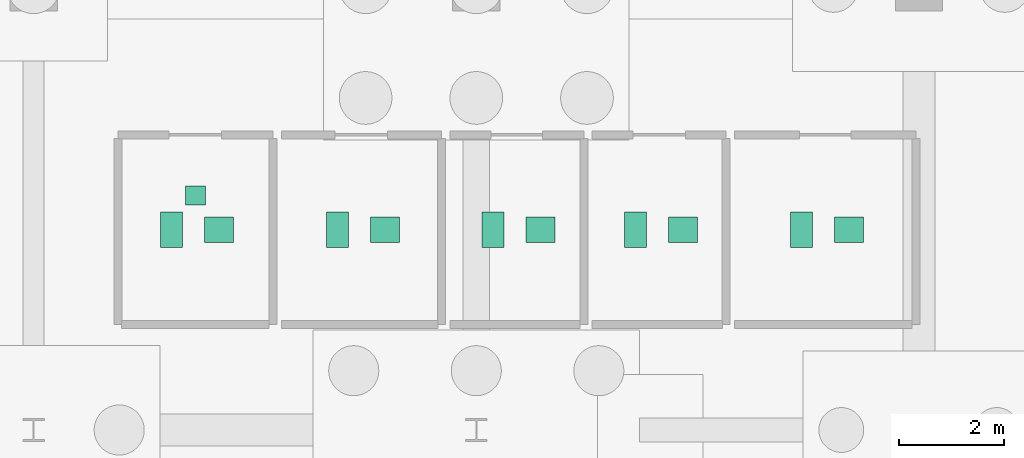
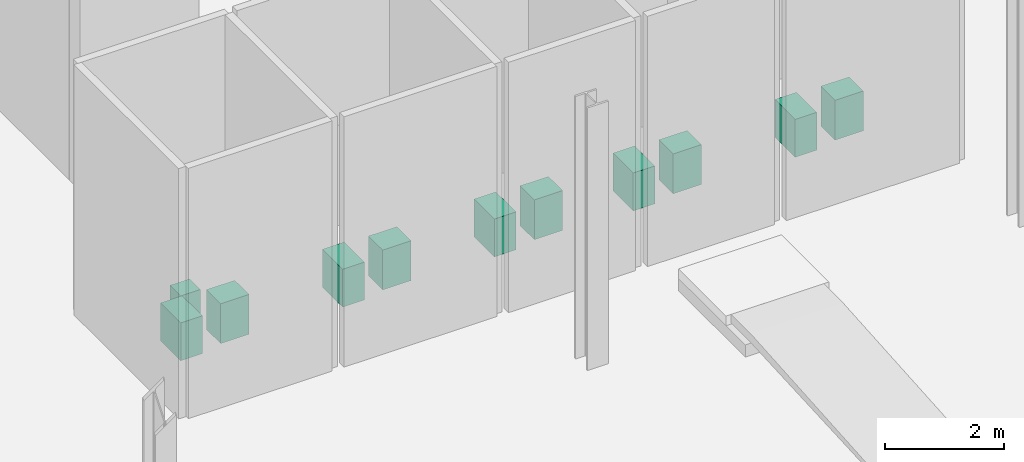
# One storey, part 48 of 49: 11 sanitary terminals.
"""IFC4 building model written with IfcOpenShell, lengths in metres."""

from ifc_helpers import new_model, si_unit, direction, frame, origin, origin_2d, place, context, subcontext, project, spatial, rectangle, extrude, material, type_object, element, save


model = new_model("IFC4")

# Units and contexts
model_context = context("Model", 3, precision=1e-05, world=origin(), true_north=direction((0.0, 1.0)))
body_context = subcontext(model_context, "Body", "Model", "MODEL_VIEW")
ifc_project = project(units=[si_unit("LENGTHUNIT", "METRE"), si_unit("AREAUNIT", "SQUARE_METRE"), si_unit("VOLUMEUNIT", "CUBIC_METRE"), si_unit("PLANEANGLEUNIT", "RADIAN"), si_unit("MASSUNIT", "GRAM", prefix="KILO"), si_unit("THERMODYNAMICTEMPERATUREUNIT", "KELVIN")], contexts=[model_context])

# Site, building, storey
site_placement = place(None, origin())
site = spatial("IfcSite", under=ifc_project, at=site_placement, CompositionType="ELEMENT")
building_placement = place(site_placement, origin())
building = spatial("IfcBuilding", under=site, at=building_placement, Name="Lustrewick Department Store", CompositionType="ELEMENT")
storey_placement = place(building_placement, frame((0.0, 0.0, -5.39990234375)))
storey = spatial("IfcBuildingStorey", under=building, at=storey_placement, Name="B1", CompositionType="ELEMENT", Elevation=-5.39990234375)

# Sanitary terminals
ifc_material = material(Name="Glazed white vitreous china sanitaryware", Category="masonry")
sanitary_terminal_type_1 = type_object("IfcSanitaryTerminalType", Name="SAN-URI", PredefinedType="URINAL", material=ifc_material)
sanitary_terminal_placement = place(storey_placement, frame((78.669921875, 38.050048828125, 0.0), z_axis=(0.0, 0.0, 1.0), x_axis=(1.0, 0.0, 0.0)))
element("IfcSanitaryTerminal", 1, at=sanitary_terminal_placement, inside=storey, type_object=sanitary_terminal_type_1, Name="B1 Male Public WC Urinal", PredefinedType="URINAL", context=body_context, shape_type="SweptSolid", body=[
    extrude(rectangle(XDim=0.3798828125, YDim=0.360107421875, at=origin_2d()), origin(), (0.0, 0.0, 1.0), 0.679931640625),
])
sanitary_terminal_type_2 = type_object("IfcSanitaryTerminalType", Name="SAN-WC", PredefinedType="TOILETPAN", material=ifc_material)
for number, where, z_axis, x_axis, name in (
    (2, (78.219970703125, 37.39990234375, 0.0), (0.0, 0.0, 1.0), (1.0, 0.0, 0.0), "B1 Male Public WC WC Pan"),
    (3, (81.3701171875, 37.39990234375, 0.0), (0.0, 0.0, 1.0), (1.0, 0.0, 0.0), "B1 Female Public WC WC Pan"),
    (4, (84.320068359375, 37.39990234375, 0.0), (0.0, 0.0, 1.0), (1.0, 0.0, 0.0), "B1 Accessible WC WC Pan"),
    (5, (87.02001953125, 37.39990234375, 0.0), (0.0, 0.0, 1.0), (1.0, 0.0, 0.0), "B1 Staff WC WC Pan"),
    (6, (90.169921875, 37.39990234375, 0.0), (0.0, 0.0, 1.0), (1.0, 0.0, 0.0), "B1 Nursery Room WC Pan"),
):
    element("IfcSanitaryTerminal", number, at=place(storey_placement, frame(where, z_axis=z_axis, x_axis=x_axis)), inside=storey, type_object=sanitary_terminal_type_2, Name=name, PredefinedType="TOILETPAN", context=body_context, shape_type="SweptSolid", body=[
        extrude(rectangle(XDim=0.419921875, YDim=0.679931640625, at=origin_2d()), origin(), (0.0, 0.0, 1.0), 0.780029296875),
    ])
sanitary_terminal_type_3 = type_object("IfcSanitaryTerminalType", Name="SAN-WHB", PredefinedType="WASHHANDBASIN", material=ifc_material)
for number, where, z_axis, x_axis, name in (
    (7, (79.1201171875, 37.39990234375, 0.0), (0.0, 0.0, 1.0), (1.0, 0.0, 0.0), "B1 Male Public WC Washbasin"),
    (8, (82.27001953125, 37.39990234375, 0.0), (0.0, 0.0, 1.0), (1.0, 0.0, 0.0), "B1 Female Public WC Washbasin"),
    (9, (85.219970703125, 37.39990234375, 0.0), (0.0, 0.0, 1.0), (1.0, 0.0, 0.0), "B1 Accessible WC Washbasin"),
    (10, (87.919921875, 37.39990234375, 0.0), (0.0, 0.0, 1.0), (1.0, 0.0, 0.0), "B1 Staff WC Washbasin"),
    (11, (91.070068359375, 37.39990234375, 0.0), (0.0, 0.0, 1.0), (1.0, 0.0, 0.0), "B1 Nursery Room Washbasin"),
):
    element("IfcSanitaryTerminal", number, at=place(storey_placement, frame(where, z_axis=z_axis, x_axis=x_axis)), inside=storey, type_object=sanitary_terminal_type_3, Name=name, PredefinedType="WASHHANDBASIN", context=body_context, shape_type="SweptSolid", body=[
        extrude(rectangle(XDim=0.550048828125, YDim=0.47998046875, at=origin_2d()), origin(), (0.0, 0.0, 1.0), 0.820068359375),
    ])

save(model, "model.ifc")
